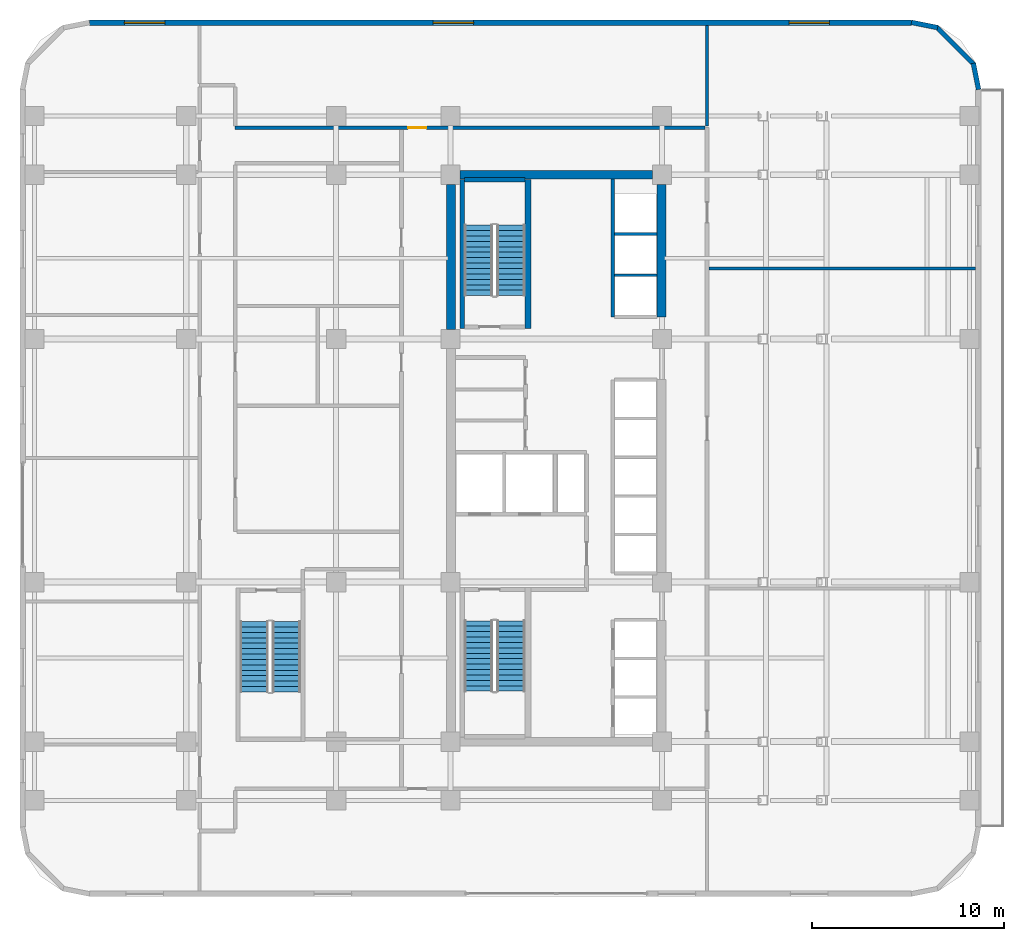
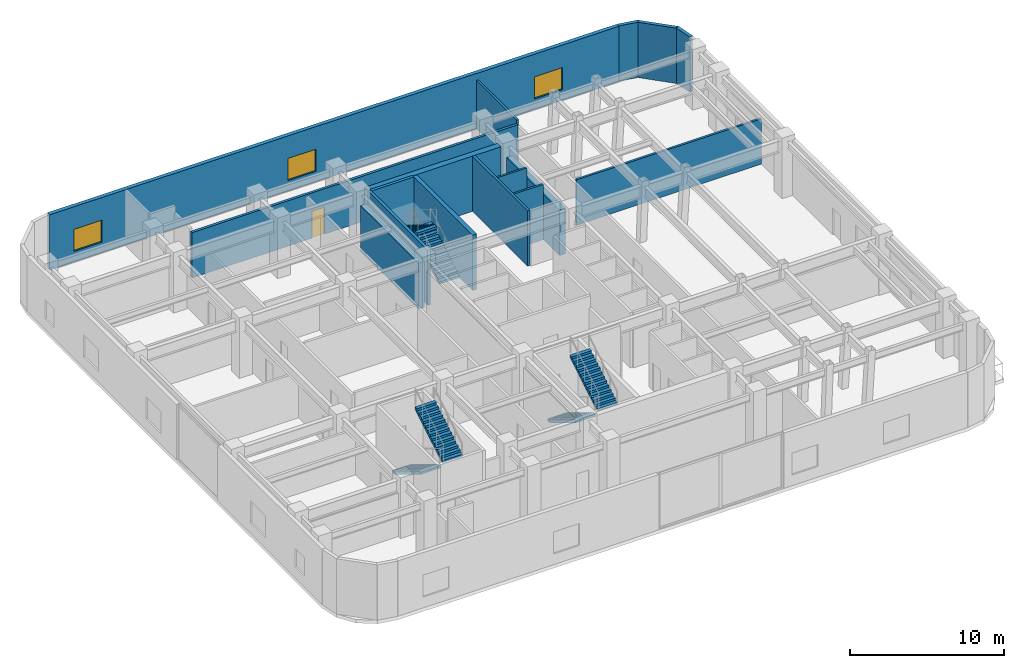
# One storey, part 7 of 10: 16 walls, 6 stair flights, 3 windows, 1 door, 4 openings, 3 elements without a shape of their own.
"""IFC4 building model written with IfcOpenShell, lengths in metres."""

from ifc_helpers import new_model, si_unit, direction, frame, frame_2d, origin, place, context, subcontext, project, spatial, polyline, rectangle, outline, extrude, material, layer, layer_set, type_object, element, fill, aggregate, save


model = new_model("IFC4")

# Units and contexts
model_context = context("Model", 3, precision=1e-05, world=origin(), true_north=direction((0.0, 1.0)))
body_context = subcontext(model_context, "Body", "Model", "MODEL_VIEW")
ifc_project = project(units=[si_unit("LENGTHUNIT", "METRE"), si_unit("AREAUNIT", "SQUARE_METRE"), si_unit("VOLUMEUNIT", "CUBIC_METRE"), si_unit("PLANEANGLEUNIT", "RADIAN"), si_unit("MASSUNIT", "GRAM", prefix="KILO")], contexts=[model_context])

# Site, building, storey
site_placement = place(None, origin())
site = spatial("IfcSite", under=ifc_project, at=site_placement, CompositionType="ELEMENT")
building_placement = place(site_placement, origin())
building = spatial("IfcBuilding", under=site, at=building_placement, Name="Ochreholt Gables", CompositionType="ELEMENT")
storey_placement = place(building_placement, frame((0.0, 0.0, 14.39990234375)))
storey = spatial("IfcBuildingStorey", under=building, at=storey_placement, Name="L03", CompositionType="ELEMENT", Elevation=14.39990234375)

# Walls
ifc_material_1 = material(Name="Concrete 60 MPa", Category="concrete")
ifc_layer_1 = layer(ifc_material_1, 0.449951171875, Name="Concrete 60 MPa")
ifc_layer_set_1 = layer_set([ifc_layer_1], Name="Concrete 60 MPa")
wall_type_1 = type_object("IfcWallType", Name="WALL-CSW-450", PredefinedType="SHEAR", material=ifc_layer_set_1)
wall_1_placement = place(storey_placement, frame((24.22509765625, 30.699951171875, 0.0), z_axis=(0.0, 0.0, 1.0), x_axis=(0.0, 1.0, 0.0)))
element("IfcWall", 1, at=wall_1_placement, inside=storey, type_object=wall_type_1, Name="L03 Core West Shear Wall WN", PredefinedType="SHEAR", context=body_context, shape_type="SweptSolid", body=[
    extrude(rectangle(XDim=7.550048828125, YDim=0.449951171875, at=frame_2d((3.77490234375, 0.0))), origin(), (0.0, 0.0, 1.0), 3.6201171875),
])
wall_2_placement = place(storey_placement, frame((35.175048828125, 31.35009765625, 0.0), z_axis=(0.0, 0.0, 1.0), x_axis=(0.0, 1.0, 0.0)))
element("IfcWall", 2, at=wall_2_placement, inside=storey, type_object=wall_type_1, Name="L03 Core North-East Shear Wall", PredefinedType="SHEAR", context=body_context, shape_type="SweptSolid", body=[
    extrude(rectangle(XDim=6.89990234375, YDim=0.449951171875, at=frame_2d((3.449951171875, 0.0))), origin(), (0.0, 0.0, 1.0), 3.6201171875),
])
wall_3_placement = place(storey_placement, frame((24.699951171875, 38.75, 0.0), z_axis=(0.0, 0.0, 1.0), x_axis=(1.0, 0.0, 0.0)))
element("IfcWall", 3, at=wall_3_placement, inside=storey, type_object=wall_type_1, Name="L03 Core North Shear Wall", PredefinedType="SHEAR", context=body_context, shape_type="SweptSolid", body=[
    extrude(rectangle(XDim=10.0, YDim=0.449951171875, at=frame_2d((5.0, 0.0))), origin(), (0.0, 0.0, 1.0), 4.39013671875),
])

# Wall, openings, windows
ifc_material_2 = material(Name="Precast concrete 40 MPa", Category="concrete")
ifc_layer_2 = layer(ifc_material_2, 0.2900390625, Name="Precast concrete 40 MPa")
ifc_layer_set_2 = layer_set([ifc_layer_2], Name="Precast concrete 40 MPa")
wall_type_2 = type_object("IfcWallType", Name="WALL-EXT-290", PredefinedType="SOLIDWALL", material=ifc_layer_set_2)
wall_4_placement = place(storey_placement, frame((48.179931640625, 46.655029296875, 0.0), z_axis=(0.0, 0.0, 1.0), x_axis=(-1.0, 0.0, 0.0)))
wall_4 = element("IfcWall", 4, at=wall_4_placement, inside=storey, type_object=wall_type_2, Name="L03 North Exterior Wall", PredefinedType="SOLIDWALL", context=body_context, shape_type="SweptSolid", body=[
    extrude(rectangle(XDim=42.760009765625, YDim=0.2900390625, at=frame_2d((21.3798828125, 0.0))), origin(), (0.0, 0.0, 1.0), 4.39013671875),
])
opening_1_placement = place(wall_4_placement, frame((38.844970703125, 0.0, 0.85009765625)))
opening_1 = element("IfcOpeningElement", 5, at=opening_1_placement, cuts=wall_4, Name="Opening WN-4", PredefinedType="OPENING", context=body_context, shape_type="SweptSolid", body=[
    extrude(rectangle(XDim=2.10009765625, YDim=1.75, at=frame_2d((1.050048828125, 0.875))), frame((0.0, 0.155029296875, 0.0), z_axis=(0.0, -1.0, 0.0), x_axis=(1.0, 0.0, 0.0)), (0.0, 0.0, 1.0), 0.31005859375),
])
opening_2_placement = place(wall_4_placement, frame((22.780029296875, 0.0, 0.85009765625)))
opening_2 = element("IfcOpeningElement", 6, at=opening_2_placement, cuts=wall_4, Name="Opening WN-4", PredefinedType="OPENING", context=body_context, shape_type="SweptSolid", body=[
    extrude(rectangle(XDim=2.10009765625, YDim=1.75, at=frame_2d((1.050048828125, 0.875))), frame((0.0, 0.155029296875, 0.0), z_axis=(0.0, -1.0, 0.0), x_axis=(1.0, 0.0, 0.0)), (0.0, 0.0, 1.0), 0.31005859375),
])
opening_3_placement = place(wall_4_placement, frame((4.264892578125, 0.0, 0.85009765625)))
opening_3 = element("IfcOpeningElement", 7, at=opening_3_placement, cuts=wall_4, Name="Opening WN-4", PredefinedType="OPENING", context=body_context, shape_type="SweptSolid", body=[
    extrude(rectangle(XDim=2.10009765625, YDim=1.75, at=frame_2d((1.050048828125, 0.875))), frame((0.0, 0.155029296875, 0.0), z_axis=(0.0, -1.0, 0.0), x_axis=(1.0, 0.0, 0.0)), (0.0, 0.0, 1.0), 0.31005859375),
])
ifc_material_3 = material(Name="Triple-Glazed Thermally Broken Aluminium Window", Category="aluminium")
window_type = type_object("IfcWindowType", Name="WIN-CLN-2100", PartitioningType="SINGLE_PANEL", PredefinedType="WINDOW", material=ifc_material_3)
window_1_placement = place(opening_1_placement, origin())
window_1 = element("IfcWindow", 8, at=window_1_placement, inside=storey, type_object=window_type, Name="L03 Window W-EXT-N-L03-1", OverallHeight=1.75, OverallWidth=2.10009765625, PartitioningType="SINGLE_PANEL", PredefinedType="WINDOW", context=body_context, shape_type="SweptSolid", body=[
    extrude(rectangle(XDim=2.10009765625, YDim=1.75, at=frame_2d((1.050048828125, 0.875))), frame((0.0, 0.030029296875, 0.0), z_axis=(0.0, -1.0, 0.0), x_axis=(1.0, 0.0, 0.0)), (0.0, 0.0, 1.0), 0.06005859375),
])
fill(opening_1, window_1)
window_2_placement = place(opening_2_placement, origin())
window_2 = element("IfcWindow", 9, at=window_2_placement, inside=storey, type_object=window_type, Name="L03 Window W-EXT-N-L03-2", OverallHeight=1.75, OverallWidth=2.10009765625, PartitioningType="SINGLE_PANEL", PredefinedType="WINDOW", context=body_context, shape_type="SweptSolid", body=[
    extrude(rectangle(XDim=2.10009765625, YDim=1.75, at=frame_2d((1.050048828125, 0.875))), frame((0.0, 0.030029296875, 0.0), z_axis=(0.0, -1.0, 0.0), x_axis=(1.0, 0.0, 0.0)), (0.0, 0.0, 1.0), 0.06005859375),
])
fill(opening_2, window_2)
window_3_placement = place(opening_3_placement, origin())
window_3 = element("IfcWindow", 10, at=window_3_placement, inside=storey, type_object=window_type, Name="L03 Window W-EXT-N-L03-3", OverallHeight=1.75, OverallWidth=2.10009765625, PartitioningType="SINGLE_PANEL", PredefinedType="WINDOW", context=body_context, shape_type="SweptSolid", body=[
    extrude(rectangle(XDim=2.10009765625, YDim=1.75, at=frame_2d((1.050048828125, 0.875))), frame((0.0, 0.030029296875, 0.0), z_axis=(0.0, -1.0, 0.0), x_axis=(1.0, 0.0, 0.0)), (0.0, 0.0, 1.0), 0.06005859375),
])
fill(opening_3, window_3)

# Walls
ifc_layer_3 = layer(ifc_material_2, 0.25, Name="Precast concrete 40 MPa")
ifc_layer_set_3 = layer_set([ifc_layer_3], Name="Precast concrete 40 MPa")
wall_type_3 = type_object("IfcWallType", Name="WALL-EXT-CNR", PredefinedType="SOLIDWALL", material=ifc_layer_set_3)
wall_5_placement = place(storey_placement, frame((51.67578125, 43.18359375, 0.0), z_axis=(0.0, 0.0, 1.0), x_axis=(-0.195000137217, 0.980803214965, 0.0)))
element("IfcWall", 11, at=wall_5_placement, inside=storey, type_object=wall_type_3, Name="L03 Rounded Corner Wall NE-1", PredefinedType="SOLIDWALL", context=body_context, shape_type="SweptSolid", body=[
    extrude(rectangle(XDim=1.388427734375, YDim=0.25, at=frame_2d((0.6943359375, 0.0))), origin(), (0.0, 0.0, 1.0), 4.39013671875),
])
wall_6_placement = place(storey_placement, frame((51.431884765625, 44.4951171875, 0.0), z_axis=(0.0, 0.0, 1.0), x_axis=(-0.707106781187, 0.707106781187, 0.0)))
element("IfcWall", 12, at=wall_6_placement, inside=storey, type_object=wall_type_3, Name="L03 Rounded Corner Wall NE-2", PredefinedType="SOLIDWALL", context=body_context, shape_type="SweptSolid", body=[
    extrude(rectangle(XDim=2.739013671875, YDim=0.25, at=frame_2d((1.36962890625, 0.0))), origin(), (0.0, 0.0, 1.0), 4.39013671875),
])
wall_7_placement = place(storey_placement, frame((49.54541015625, 46.405029296875, 0.0), z_axis=(0.0, 0.0, 1.0), x_axis=(-0.980803214965, 0.195000137217, 0.0)))
element("IfcWall", 13, at=wall_7_placement, inside=storey, type_object=wall_type_3, Name="L03 Rounded Corner Wall NE-3", PredefinedType="SOLIDWALL", context=body_context, shape_type="SweptSolid", body=[
    extrude(rectangle(XDim=1.388427734375, YDim=0.25, at=frame_2d((0.6943359375, 0.0))), origin(), (0.0, 0.0, 1.0), 4.39013671875),
])

# Wall, opening, door
ifc_material_4 = material(Name="Fire-Rated Gypsum Acoustic Partition", Category="gypsum")
ifc_layer_4 = layer(ifc_material_4, 0.18994140625, Name="Fire-Rated Gypsum Acoustic Partition")
ifc_layer_set_4 = layer_set([ifc_layer_4], Name="Fire-Rated Gypsum Acoustic Partition")
wall_type_4 = type_object("IfcWallType", Name="WALL-INT-CR190", PredefinedType="STANDARD", material=ifc_layer_set_4)
wall_8_placement = place(storey_placement, frame((13.0, 41.199951171875, 0.0), z_axis=(0.0, 0.0, 1.0), x_axis=(1.0, 0.0, 0.0)))
wall_8 = element("IfcWall", 14, at=wall_8_placement, inside=storey, type_object=wall_type_4, Name="L03 Interior Wall WI-CLCN-L03", PredefinedType="STANDARD", context=body_context, shape_type="SweptSolid", body=[
    extrude(rectangle(XDim=24.455078125, YDim=0.18994140625, at=frame_2d((12.2275390625, 0.0))), origin(), (0.0, 0.0, 1.0), 3.60205078125),
])
opening_4_placement = place(wall_8_placement, frame((9.0, 0.0, 0.0)))
opening_4 = element("IfcOpeningElement", 15, at=opening_4_placement, cuts=wall_8, Name="Opening D-GN1", PredefinedType="OPENING", context=body_context, shape_type="SweptSolid", body=[
    extrude(rectangle(XDim=0.949951171875, YDim=2.14990234375, at=frame_2d((0.47509765625, 1.074951171875))), frame((0.0, 0.10498046875, 0.0), z_axis=(0.0, -1.0, 0.0), x_axis=(1.0, 0.0, 0.0)), (0.0, 0.0, 1.0), 0.2099609375),
])
ifc_material_5 = material(Name="Engineered Oak Timber", Category="wood")
door_type = type_object("IfcDoorType", Name="DR-INT-GEN950", OperationType="NOTDEFINED", PredefinedType="DOOR", material=ifc_material_5)
door_placement = place(opening_4_placement, origin())
door = element("IfcDoor", 16, at=door_placement, inside=storey, type_object=door_type, Name="L03 Door D-CLCN-L03", OperationType="SINGLE_SWING_RIGHT", OverallHeight=2.14990234375, OverallWidth=0.949951171875, PredefinedType="DOOR", context=body_context, shape_type="SweptSolid", body=[
    extrude(rectangle(XDim=0.949951171875, YDim=2.14990234375, at=frame_2d((0.47509765625, 1.074951171875))), frame((0.0, 0.02490234375, 0.0), z_axis=(0.0, -1.0, 0.0), x_axis=(1.0, 0.0, 0.0)), (0.0, 0.0, 1.0), 0.050048828125),
])
fill(opening_4, door)

# Walls
ifc_material_6 = material(Name="Gypsum Acoustic Stud Partition", Category="gypsum")
ifc_layer_5 = layer(ifc_material_6, 0.159912109375, Name="Gypsum Acoustic Stud Partition")
ifc_layer_set_5 = layer_set([ifc_layer_5], Name="Gypsum Acoustic Stud Partition")
wall_type_5 = type_object("IfcWallType", Name="WALL-INT-PT160", PredefinedType="PARTITIONING", material=ifc_layer_set_5)
wall_9_placement = place(storey_placement, frame((37.550048828125, 41.294921875, 0.0), z_axis=(0.0, 0.0, 1.0), x_axis=(0.0, 1.0, 0.0)))
element("IfcWall", 17, at=wall_9_placement, inside=storey, type_object=wall_type_5, Name="L03 Interior Wall WI-CLCEN-L03", PredefinedType="PARTITIONING", context=body_context, shape_type="SweptSolid", body=[
    extrude(rectangle(XDim=5.215087890625, YDim=0.159912109375, at=frame_2d((2.607421875, 0.0))), origin(), (0.0, 0.0, 1.0), 3.839111328125),
])
wall_10_placement = place(storey_placement, frame((37.64501953125, 33.860107421875, 0.0), z_axis=(0.0, 0.0, 1.0), x_axis=(1.0, 0.0, 0.0)))
element("IfcWall", 18, at=wall_10_placement, inside=storey, type_object=wall_type_5, Name="L03 Interior Wall WI-CLE2-L03", PredefinedType="PARTITIONING", context=body_context, shape_type="SweptSolid", body=[
    extrude(rectangle(XDim=13.864990234375, YDim=0.159912109375, at=frame_2d((6.9326171875, 0.0))), origin(), (0.0, 0.0, 1.0), 3.60205078125),
])
ifc_material_7 = material(Name="Gypsum Shaftliner and Steel Stud", Category="steel")
ifc_layer_6 = layer(ifc_material_7, 0.14990234375, Name="Gypsum Shaftliner and Steel Stud")
ifc_layer_set_6 = layer_set([ifc_layer_6], Name="Gypsum Shaftliner and Steel Stud")
wall_type_6 = type_object("IfcWallType", Name="WALL-INT-SH150", PredefinedType="STANDARD", material=ifc_layer_set_6)
for number, where, z_axis, x_axis, name in (
    (19, (32.739990234375, 33.52001953125, 0.0), (0.0, 0.0, 1.0), (1.0, 0.0, 0.0), "L03 Interior Wall WI-LFM-D1-L03"),
    (20, (32.739990234375, 35.669921875, 0.0), (0.0, 0.0, 1.0), (1.0, 0.0, 0.0), "L03 Interior Wall WI-LFM-D2-L03"),
):
    element("IfcWall", number, at=place(storey_placement, frame(where, z_axis=z_axis, x_axis=x_axis)), inside=storey, type_object=wall_type_6, Name=name, PredefinedType="STANDARD", context=body_context, shape_type="SweptSolid", body=[
        extrude(rectangle(XDim=2.2099609375, YDim=0.14990234375, at=frame_2d((1.10498046875, 0.0))), origin(), (0.0, 0.0, 1.0), 4.39013671875),
    ])
ifc_layer_7 = layer(ifc_material_7, 0.179931640625, Name="Gypsum Shaftliner and Steel Stud")
ifc_layer_set_7 = layer_set([ifc_layer_7], Name="Gypsum Shaftliner and Steel Stud")
wall_type_7 = type_object("IfcWallType", Name="WALL-INT-SH180", PredefinedType="STANDARD", material=ifc_layer_set_7)
wall_11_placement = place(storey_placement, frame((32.64990234375, 31.35009765625, 0.0), z_axis=(0.0, 0.0, 1.0), x_axis=(0.0, 1.0, 0.0)))
element("IfcWall", 21, at=wall_11_placement, inside=storey, type_object=wall_type_7, Name="L03 Interior Wall WI-LFM-FR-L03", PredefinedType="STANDARD", context=body_context, shape_type="SweptSolid", body=[
    extrude(rectangle(XDim=7.1748046875, YDim=0.179931640625, at=frame_2d((3.58740234375, 0.0))), origin(), (0.0, 0.0, 1.0), 4.39013671875),
])
ifc_layer_8 = layer(ifc_material_1, 0.300048828125, Name="Concrete 60 MPa")
ifc_layer_set_8 = layer_set([ifc_layer_8], Name="Concrete 60 MPa")
wall_type_8 = type_object("IfcWallType", Name="WALL-SPN-300", PredefinedType="SHEAR", material=ifc_layer_set_8)
wall_12_placement = place(storey_placement, frame((28.22998046875, 30.739990234375, 0.0), z_axis=(0.0, 0.0, 1.0), x_axis=(0.0, 1.0, 0.0)))
element("IfcWall", 22, at=wall_12_placement, inside=storey, type_object=wall_type_8, Name="L03 Core North Spine Shear Wall", PredefinedType="SHEAR", context=body_context, shape_type="SweptSolid", body=[
    extrude(rectangle(XDim=7.760009765625, YDim=0.300048828125, at=frame_2d((3.8798828125, 0.0))), origin(), (0.0, 0.0, 1.0), 4.39013671875),
])
ifc_material_8 = material(Name="Concrete 50 MPa", Category="concrete")
ifc_layer_9 = layer(ifc_material_8, 0.219970703125, Name="Concrete 50 MPa")
ifc_layer_set_9 = layer_set([ifc_layer_9], Name="Concrete 50 MPa")
wall_type_9 = type_object("IfcWallType", Name="WALL-STW-220", PredefinedType="SHEAR", material=ifc_layer_set_9)
wall_13_placement = place(storey_placement, frame((24.81005859375, 30.739990234375, 0.0), z_axis=(0.0, 0.0, 1.0), x_axis=(0.0, 1.0, 0.0)))
element("IfcWall", 23, at=wall_13_placement, inside=storey, type_object=wall_type_9, Name="L03 Exit Stair 2 West Wall", PredefinedType="SHEAR", context=body_context, shape_type="SweptSolid", body=[
    extrude(rectangle(XDim=7.760009765625, YDim=0.219970703125, at=frame_2d((3.8798828125, 0.0))), origin(), (0.0, 0.0, 1.0), 4.39013671875),
])
wall_14_placement = place(storey_placement, frame((24.919921875, 38.489990234375, 0.0), z_axis=(0.0, 0.0, 1.0), x_axis=(1.0, 0.0, 0.0)))
element("IfcWall", 24, at=wall_14_placement, inside=storey, type_object=wall_type_9, Name="L03 Exit Stair 2 North Wall", PredefinedType="SHEAR", context=body_context, shape_type="SweptSolid", body=[
    extrude(rectangle(XDim=3.16015625, YDim=0.219970703125, at=frame_2d((1.580078125, 0.0))), origin(), (0.0, 0.0, 1.0), 4.39013671875),
])

# Stair, stair flights
ifc_material_9 = material(Name="Concrete 40 MPa", Category="concrete")
stair_type_1 = type_object("IfcStairType", Name="STAIR-CORE-ST-1", PredefinedType="HALF_TURN_STAIR", material=ifc_material_9)
stair_1_placement = place(storey_placement, origin())
stair_1 = element("IfcStair", 25, at=stair_1_placement, inside=storey, type_object=stair_type_1, Name="L03 Core Exit Stair 1", PredefinedType="HALF_TURN_STAIR")
stair_flight_type = type_object("IfcStairFlightType", Name="FLIGHT-ST-1480-1714", PredefinedType="STRAIGHT", material=ifc_material_9)
stair_flight_1_placement = place(storey_placement, frame((25.659912109375, 15.5400390625, 0.0), z_axis=(0.0, 0.0, 1.0), x_axis=(0.0, -1.0, 0.0)))
stair_flight_1 = element("IfcStairFlight", 26, at=stair_flight_1_placement, type_object=stair_flight_type, Name="ST-1 flight 1", NumberOfRisers=14, NumberOfTreads=13, PredefinedType="STRAIGHT", RiserHeight=0.171428571, TreadLength=0.282, context=body_context, shape_type="SweptSolid", body=[
    extrude(outline(polyline([(0.0, 0.0), (0.0, 0.17138671875), (0.281982421875, 0.17138671875), (0.281982421875, 0.3427734375), (0.56396484375, 0.3427734375), (0.56396484375, 0.514404296875), (0.845947265625, 0.514404296875), (0.845947265625, 0.685791015625), (1.1279296875, 0.685791015625), (1.1279296875, 0.857177734375), (1.409912109375, 0.857177734375), (1.409912109375, 1.028564453125), (1.69189453125, 1.028564453125), (1.69189453125, 1.199951171875), (1.97412109375, 1.199951171875), (1.97412109375, 1.371337890625), (2.256103515625, 1.371337890625), (2.256103515625, 1.54296875), (2.5380859375, 1.54296875), (2.5380859375, 1.71435546875), (2.820068359375, 1.71435546875), (2.820068359375, 1.8857421875), (3.10205078125, 1.8857421875), (3.10205078125, 2.05712890625), (3.384033203125, 2.05712890625), (3.384033203125, 2.228515625), (3.666015625, 2.228515625), (3.666015625, 2.39990234375), (3.666015625, 2.05322265625), (0.28857421875, 0.0), (0.0, 0.0)])), frame((0.0, 0.739990234375, 0.0), z_axis=(0.0, -1.0, 0.0), x_axis=(1.0, 0.0, 0.0)), (0.0, 0.0, 1.0), 1.47998046875),
])
stair_flight_2_placement = place(storey_placement, frame((27.340087890625, 11.8740234375, 2.400146484375), z_axis=(0.0, 0.0, 1.0), x_axis=(0.0, 1.0, 0.0)))
stair_flight_2 = element("IfcStairFlight", 27, at=stair_flight_2_placement, type_object=stair_flight_type, Name="ST-1 flight 2", NumberOfRisers=14, NumberOfTreads=13, PredefinedType="STRAIGHT", RiserHeight=0.171428571, TreadLength=0.282, context=body_context, shape_type="SweptSolid", body=[
    extrude(outline(polyline([(0.0, 0.0), (0.0, 0.17138671875), (0.281982421875, 0.17138671875), (0.281982421875, 0.3427734375), (0.56396484375, 0.3427734375), (0.56396484375, 0.514404296875), (0.845947265625, 0.514404296875), (0.845947265625, 0.685791015625), (1.1279296875, 0.685791015625), (1.1279296875, 0.857177734375), (1.409912109375, 0.857177734375), (1.409912109375, 1.028564453125), (1.69189453125, 1.028564453125), (1.69189453125, 1.199951171875), (1.97412109375, 1.199951171875), (1.97412109375, 1.371337890625), (2.256103515625, 1.371337890625), (2.256103515625, 1.54296875), (2.5380859375, 1.54296875), (2.5380859375, 1.71435546875), (2.820068359375, 1.71435546875), (2.820068359375, 1.8857421875), (3.10205078125, 1.8857421875), (3.10205078125, 2.05712890625), (3.384033203125, 2.05712890625), (3.384033203125, 2.228515625), (3.666015625, 2.228515625), (3.666015625, 2.39990234375), (3.666015625, 2.05322265625), (0.28857421875, 0.0), (0.0, 0.0)])), frame((0.0, 0.739990234375, 0.0), z_axis=(0.0, -1.0, 0.0), x_axis=(1.0, 0.0, 0.0)), (0.0, 0.0, 1.0), 1.47998046875),
])
aggregate(stair_1, [stair_flight_1, stair_flight_2])

stair_type_2 = type_object("IfcStairType", Name="STAIR-CORE-ST-2", PredefinedType="HALF_TURN_STAIR", material=ifc_material_9)
stair_2_placement = place(storey_placement, origin())
stair_2 = element("IfcStair", 28, at=stair_2_placement, inside=storey, type_object=stair_type_2, Name="L03 Core Exit Stair 2", PredefinedType="HALF_TURN_STAIR")
stair_flight_3_placement = place(storey_placement, frame((27.340087890625, 32.4599609375, 0.0), z_axis=(0.0, 0.0, 1.0), x_axis=(0.0, 1.0, 0.0)))
stair_flight_3 = element("IfcStairFlight", 29, at=stair_flight_3_placement, type_object=stair_flight_type, Name="ST-2 flight 1", NumberOfRisers=14, NumberOfTreads=13, PredefinedType="STRAIGHT", RiserHeight=0.171428571, TreadLength=0.282, context=body_context, shape_type="SweptSolid", body=[
    extrude(outline(polyline([(0.0, 0.0), (0.0, 0.17138671875), (0.281982421875, 0.17138671875), (0.281982421875, 0.3427734375), (0.56396484375, 0.3427734375), (0.56396484375, 0.514404296875), (0.845947265625, 0.514404296875), (0.845947265625, 0.685791015625), (1.1279296875, 0.685791015625), (1.1279296875, 0.857177734375), (1.409912109375, 0.857177734375), (1.409912109375, 1.028564453125), (1.69189453125, 1.028564453125), (1.69189453125, 1.199951171875), (1.97412109375, 1.199951171875), (1.97412109375, 1.371337890625), (2.256103515625, 1.371337890625), (2.256103515625, 1.54296875), (2.5380859375, 1.54296875), (2.5380859375, 1.71435546875), (2.820068359375, 1.71435546875), (2.820068359375, 1.8857421875), (3.10205078125, 1.8857421875), (3.10205078125, 2.05712890625), (3.384033203125, 2.05712890625), (3.384033203125, 2.228515625), (3.666015625, 2.228515625), (3.666015625, 2.39990234375), (3.666015625, 2.05322265625), (0.28857421875, 0.0), (0.0, 0.0)])), frame((0.0, 0.739990234375, 0.0), z_axis=(0.0, -1.0, 0.0), x_axis=(1.0, 0.0, 0.0)), (0.0, 0.0, 1.0), 1.47998046875),
])
stair_flight_4_placement = place(storey_placement, frame((25.659912109375, 36.1259765625, 2.400146484375), z_axis=(0.0, 0.0, 1.0), x_axis=(0.0, -1.0, 0.0)))
stair_flight_4 = element("IfcStairFlight", 30, at=stair_flight_4_placement, type_object=stair_flight_type, Name="ST-2 flight 2", NumberOfRisers=14, NumberOfTreads=13, PredefinedType="STRAIGHT", RiserHeight=0.171428571, TreadLength=0.282, context=body_context, shape_type="SweptSolid", body=[
    extrude(outline(polyline([(0.0, 0.0), (0.0, 0.17138671875), (0.281982421875, 0.17138671875), (0.281982421875, 0.3427734375), (0.56396484375, 0.3427734375), (0.56396484375, 0.514404296875), (0.845947265625, 0.514404296875), (0.845947265625, 0.685791015625), (1.1279296875, 0.685791015625), (1.1279296875, 0.857177734375), (1.409912109375, 0.857177734375), (1.409912109375, 1.028564453125), (1.69189453125, 1.028564453125), (1.69189453125, 1.199951171875), (1.97412109375, 1.199951171875), (1.97412109375, 1.371337890625), (2.256103515625, 1.371337890625), (2.256103515625, 1.54296875), (2.5380859375, 1.54296875), (2.5380859375, 1.71435546875), (2.820068359375, 1.71435546875), (2.820068359375, 1.8857421875), (3.10205078125, 1.8857421875), (3.10205078125, 2.05712890625), (3.384033203125, 2.05712890625), (3.384033203125, 2.228515625), (3.666015625, 2.228515625), (3.666015625, 2.39990234375), (3.666015625, 2.05322265625), (0.28857421875, 0.0), (0.0, 0.0)])), frame((0.0, 0.739990234375, 0.0), z_axis=(0.0, -1.0, 0.0), x_axis=(1.0, 0.0, 0.0)), (0.0, 0.0, 1.0), 1.47998046875),
])
aggregate(stair_2, [stair_flight_3, stair_flight_4])

stair_type_3 = type_object("IfcStairType", Name="STAIR-CORE-ST-P1", PredefinedType="HALF_TURN_STAIR", material=ifc_material_9)
stair_3_placement = place(storey_placement, origin())
stair_3 = element("IfcStair", 31, at=stair_3_placement, inside=storey, type_object=stair_type_3, Name="L03 Podium Exit Stair 3", PredefinedType="HALF_TURN_STAIR")
stair_flight_5_placement = place(storey_placement, frame((13.989990234375, 15.5, 0.0), z_axis=(0.0, 0.0, 1.0), x_axis=(0.0, -1.0, 0.0)))
stair_flight_5 = element("IfcStairFlight", 32, at=stair_flight_5_placement, type_object=stair_flight_type, Name="ST-P1 flight 1", NumberOfRisers=14, NumberOfTreads=13, PredefinedType="STRAIGHT", RiserHeight=0.171428571, TreadLength=0.282, context=body_context, shape_type="SweptSolid", body=[
    extrude(outline(polyline([(0.0, 0.0), (0.0, 0.17138671875), (0.281982421875, 0.17138671875), (0.281982421875, 0.3427734375), (0.56396484375, 0.3427734375), (0.56396484375, 0.514404296875), (0.845947265625, 0.514404296875), (0.845947265625, 0.685791015625), (1.1279296875, 0.685791015625), (1.1279296875, 0.857177734375), (1.409912109375, 0.857177734375), (1.409912109375, 1.028564453125), (1.69189453125, 1.028564453125), (1.69189453125, 1.199951171875), (1.97412109375, 1.199951171875), (1.97412109375, 1.371337890625), (2.256103515625, 1.371337890625), (2.256103515625, 1.54296875), (2.5380859375, 1.54296875), (2.5380859375, 1.71435546875), (2.820068359375, 1.71435546875), (2.820068359375, 1.8857421875), (3.10205078125, 1.8857421875), (3.10205078125, 2.05712890625), (3.384033203125, 2.05712890625), (3.384033203125, 2.228515625), (3.666015625, 2.228515625), (3.666015625, 2.39990234375), (3.666015625, 2.05322265625), (0.28857421875, 0.0), (0.0, 0.0)])), frame((0.0, 0.739990234375, 0.0), z_axis=(0.0, -1.0, 0.0), x_axis=(1.0, 0.0, 0.0)), (0.0, 0.0, 1.0), 1.47998046875),
])
stair_flight_6_placement = place(storey_placement, frame((15.669921875, 11.833984375, 2.400146484375), z_axis=(0.0, 0.0, 1.0), x_axis=(0.0, 1.0, 0.0)))
stair_flight_6 = element("IfcStairFlight", 33, at=stair_flight_6_placement, type_object=stair_flight_type, Name="ST-P1 flight 2", NumberOfRisers=14, NumberOfTreads=13, PredefinedType="STRAIGHT", RiserHeight=0.171428571, TreadLength=0.282, context=body_context, shape_type="SweptSolid", body=[
    extrude(outline(polyline([(0.0, 0.0), (0.0, 0.17138671875), (0.281982421875, 0.17138671875), (0.281982421875, 0.3427734375), (0.56396484375, 0.3427734375), (0.56396484375, 0.514404296875), (0.845947265625, 0.514404296875), (0.845947265625, 0.685791015625), (1.1279296875, 0.685791015625), (1.1279296875, 0.857177734375), (1.409912109375, 0.857177734375), (1.409912109375, 1.028564453125), (1.69189453125, 1.028564453125), (1.69189453125, 1.199951171875), (1.97412109375, 1.199951171875), (1.97412109375, 1.371337890625), (2.256103515625, 1.371337890625), (2.256103515625, 1.54296875), (2.5380859375, 1.54296875), (2.5380859375, 1.71435546875), (2.820068359375, 1.71435546875), (2.820068359375, 1.8857421875), (3.10205078125, 1.8857421875), (3.10205078125, 2.05712890625), (3.384033203125, 2.05712890625), (3.384033203125, 2.228515625), (3.666015625, 2.228515625), (3.666015625, 2.39990234375), (3.666015625, 2.05322265625), (0.28857421875, 0.0), (0.0, 0.0)])), frame((0.0, 0.739990234375, 0.0), z_axis=(0.0, -1.0, 0.0), x_axis=(1.0, 0.0, 0.0)), (0.0, 0.0, 1.0), 1.47998046875),
])
aggregate(stair_3, [stair_flight_5, stair_flight_6])

save(model, "model.ifc")
